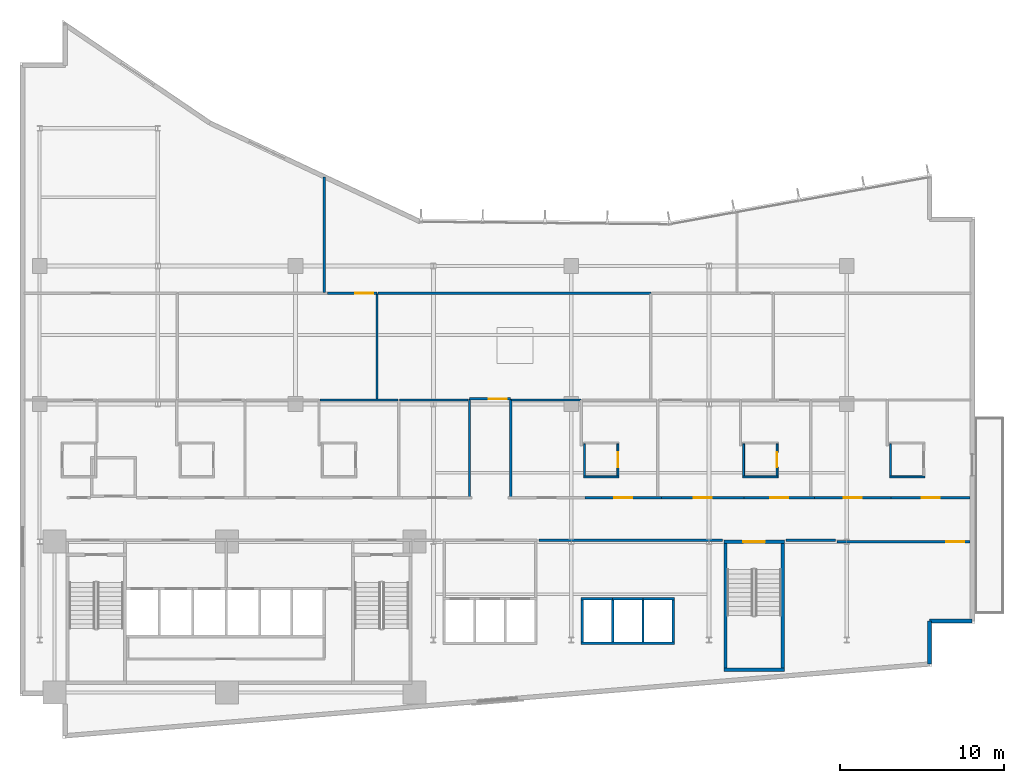
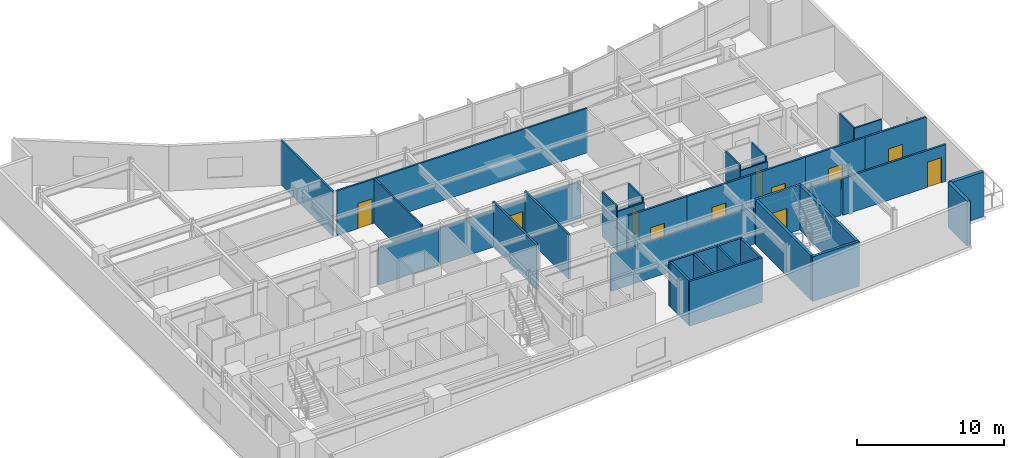
# One storey, part 12 of 19: 40 walls, 11 doors, 11 openings.
"""IFC4 building model written with IfcOpenShell, lengths in metres."""

from ifc_helpers import new_model, si_unit, direction, frame, frame_2d, origin, place, context, subcontext, project, spatial, rectangle, extrude, material, layer, layer_set, type_object, element, fill, save


model = new_model("IFC4")

# Units and contexts
model_context = context("Model", 3, precision=1e-05, world=origin(), true_north=direction((0.0, 1.0)))
body_context = subcontext(model_context, "Body", "Model", "MODEL_VIEW")
ifc_project = project(units=[si_unit("LENGTHUNIT", "METRE"), si_unit("AREAUNIT", "SQUARE_METRE"), si_unit("VOLUMEUNIT", "CUBIC_METRE"), si_unit("PLANEANGLEUNIT", "RADIAN"), si_unit("MASSUNIT", "GRAM", prefix="KILO")], contexts=[model_context])

# Site, building, storey
site_placement = place(None, origin())
site = spatial("IfcSite", under=ifc_project, at=site_placement, CompositionType="ELEMENT")
building_placement = place(site_placement, origin())
building = spatial("IfcBuilding", under=site, at=building_placement, Name="Varnakote Quay Hospital", CompositionType="ELEMENT")
storey_placement = place(building_placement, frame((0.0, 0.0, 89.64990234375)))
storey = spatial("IfcBuildingStorey", under=building, at=storey_placement, Name="L22", CompositionType="ELEMENT", Elevation=89.64990234375)

# Walls
ifc_material_1 = material(Name="Fire-rated acoustic gypsum stud wall", Category="gypsum")
ifc_layer_1 = layer(ifc_material_1, 0.159912109375)
ifc_layer_set_1 = layer_set([ifc_layer_1], Name="Fire-rated acoustic gypsum stud wall")
wall_type_1 = type_object("IfcWallType", Name="WL-COMP-160", PredefinedType="PARTITIONING", material=ifc_layer_set_1)
wall_1_placement = place(storey_placement, frame((31.6298828125, 12.080078125, 0.0), z_axis=(0.0, 0.0, 1.0), x_axis=(1.0, 0.0, 0.0)))
element("IfcWall", 1, at=wall_1_placement, inside=storey, type_object=wall_type_1, Name="L22 Corridor South Gap Wall", PredefinedType="PARTITIONING", context=body_context, shape_type="SweptSolid", body=[
    extrude(rectangle(XDim=11.180908203125, YDim=0.159912109375, at=frame_2d((5.59033203125, 0.0))), origin(), (0.0, 0.0, 1.0), 3.072998046875),
])
wall_2_placement = place(storey_placement, frame((46.689208984375, 12.080078125, 0.0), z_axis=(0.0, 0.0, 1.0), x_axis=(1.0, 0.0, 0.0)))
element("IfcWall", 2, at=wall_2_placement, inside=storey, type_object=wall_type_1, Name="L22 Corridor South Gap Wall", PredefinedType="PARTITIONING", context=body_context, shape_type="SweptSolid", body=[
    extrude(rectangle(XDim=3.0107421875, YDim=0.159912109375, at=frame_2d((1.50537109375, 0.0))), origin(), (0.0, 0.0, 1.0), 3.072998046875),
])
ifc_material_2 = material(Name="Moisture-resistant bathroom partition", Category="gypsum")
ifc_layer_2 = layer(ifc_material_2, 0.114990234375)
ifc_layer_set_2 = layer_set([ifc_layer_2], Name="Moisture-resistant bathroom partition")
wall_type_2 = type_object("IfcWallType", Name="WL-ENS-115", PredefinedType="PARTITIONING", material=ifc_layer_set_2)
wall_3_placement = place(storey_placement, frame((34.35498046875, 15.952392578125, 0.0), z_axis=(0.0, 0.0, 1.0), x_axis=(1.0, 0.0, 0.0)))
element("IfcWall", 3, at=wall_3_placement, inside=storey, type_object=wall_type_2, Name="L22 Inpatient En-Suite Bathroom 04 S Wall", PredefinedType="PARTITIONING", context=body_context, shape_type="SweptSolid", body=[
    extrude(rectangle(XDim=2.14990234375, YDim=0.114990234375, at=frame_2d((1.074951171875, 0.0))), origin(), (0.0, 0.0, 1.0), 3.3291015625),
])
wall_4_placement = place(storey_placement, frame((34.41259765625, 16.010009765625, 0.0), z_axis=(0.0, 0.0, 1.0), x_axis=(0.0, 1.0, 0.0)))
element("IfcWall", 4, at=wall_4_placement, inside=storey, type_object=wall_type_2, Name="L22 Inpatient En-Suite Bathroom 04 W Wall", PredefinedType="PARTITIONING", context=body_context, shape_type="SweptSolid", body=[
    extrude(rectangle(XDim=1.949951171875, YDim=0.114990234375, at=frame_2d((0.97509765625, 0.0))), origin(), (0.0, 0.0, 1.0), 3.710205078125),
])

# Wall, opening, door
wall_5_placement = place(storey_placement, frame((36.447509765625, 16.010009765625, 0.0), z_axis=(0.0, 0.0, 1.0), x_axis=(0.0, 1.0, 0.0)))
wall_5 = element("IfcWall", 5, at=wall_5_placement, inside=storey, type_object=wall_type_2, Name="L22 Inpatient En-Suite Bathroom 04 E Wall", PredefinedType="PARTITIONING", context=body_context, shape_type="SweptSolid", body=[
    extrude(rectangle(XDim=1.949951171875, YDim=0.114990234375, at=frame_2d((0.97509765625, 0.0))), origin(), (0.0, 0.0, 1.0), 3.710205078125),
])
opening_1_placement = place(wall_5_placement, frame((0.514892578125, 0.0, 0.0)))
opening_1 = element("IfcOpeningElement", 6, at=opening_1_placement, cuts=wall_5, Name="Opening D-L22-ENS04", PredefinedType="OPENING", context=body_context, shape_type="SweptSolid", body=[
    extrude(rectangle(XDim=0.919921875, YDim=2.10009765625, at=frame_2d((0.4599609375, 1.050048828125))), frame((0.0, 0.0673828125, 0.0), z_axis=(0.0, -1.0, 0.0), x_axis=(1.0, 0.0, 0.0)), (0.0, 0.0, 1.0), 0.135009765625),
])
ifc_material_3 = material(Name="Moisture-sealed en-suite bathroom door")
door_type_1 = type_object("IfcDoorType", Name="DR-ENS-920x2100", OperationType="NOTDEFINED", PredefinedType="DOOR", material=ifc_material_3)
door_1_placement = place(opening_1_placement, origin())
door_1 = element("IfcDoor", 7, at=door_1_placement, inside=storey, type_object=door_type_1, Name="L22 Inpatient En-Suite Bathroom 04 Door", OperationType="SINGLE_SWING_RIGHT", OverallHeight=2.10009765625, OverallWidth=0.919921875, PredefinedType="DOOR", context=body_context, shape_type="SweptSolid", body=[
    extrude(rectangle(XDim=0.919921875, YDim=2.10009765625, at=frame_2d((0.4599609375, 1.050048828125))), frame((0.0, 0.02490234375, 0.0), z_axis=(0.0, -1.0, 0.0), x_axis=(1.0, 0.0, 0.0)), (0.0, 0.0, 1.0), 0.050048828125),
])
fill(opening_1, door_1)

# Walls
wall_6_placement = place(storey_placement, frame((44.054931640625, 15.952392578125, 0.0), z_axis=(0.0, 0.0, 1.0), x_axis=(1.0, 0.0, 0.0)))
element("IfcWall", 8, at=wall_6_placement, inside=storey, type_object=wall_type_2, Name="L22 Inpatient En-Suite Bathroom 05 S Wall", PredefinedType="PARTITIONING", context=body_context, shape_type="SweptSolid", body=[
    extrude(rectangle(XDim=2.150146484375, YDim=0.114990234375, at=frame_2d((1.0751953125, 0.0))), origin(), (0.0, 0.0, 1.0), 3.3291015625),
])
wall_7_placement = place(storey_placement, frame((44.112548828125, 16.010009765625, 0.0), z_axis=(0.0, 0.0, 1.0), x_axis=(0.0, 1.0, 0.0)))
element("IfcWall", 9, at=wall_7_placement, inside=storey, type_object=wall_type_2, Name="L22 Inpatient En-Suite Bathroom 05 W Wall", PredefinedType="PARTITIONING", context=body_context, shape_type="SweptSolid", body=[
    extrude(rectangle(XDim=1.949951171875, YDim=0.114990234375, at=frame_2d((0.97509765625, 0.0))), origin(), (0.0, 0.0, 1.0), 3.710205078125),
])

# Wall, opening, door
wall_8_placement = place(storey_placement, frame((46.1474609375, 16.010009765625, 0.0), z_axis=(0.0, 0.0, 1.0), x_axis=(0.0, 1.0, 0.0)))
wall_8 = element("IfcWall", 10, at=wall_8_placement, inside=storey, type_object=wall_type_2, Name="L22 Inpatient En-Suite Bathroom 05 E Wall", PredefinedType="PARTITIONING", context=body_context, shape_type="SweptSolid", body=[
    extrude(rectangle(XDim=1.949951171875, YDim=0.114990234375, at=frame_2d((0.97509765625, 0.0))), origin(), (0.0, 0.0, 1.0), 3.710205078125),
])
opening_2_placement = place(wall_8_placement, frame((0.514892578125, 0.0, 0.0)))
opening_2 = element("IfcOpeningElement", 11, at=opening_2_placement, cuts=wall_8, Name="Opening D-L22-ENS05", PredefinedType="OPENING", context=body_context, shape_type="SweptSolid", body=[
    extrude(rectangle(XDim=0.919921875, YDim=2.10009765625, at=frame_2d((0.4599609375, 1.050048828125))), frame((0.0, 0.0673828125, 0.0), z_axis=(0.0, -1.0, 0.0), x_axis=(1.0, 0.0, 0.0)), (0.0, 0.0, 1.0), 0.135009765625),
])
door_2_placement = place(opening_2_placement, origin())
door_2 = element("IfcDoor", 12, at=door_2_placement, inside=storey, type_object=door_type_1, Name="L22 Inpatient En-Suite Bathroom 05 Door", OperationType="SINGLE_SWING_LEFT", OverallHeight=2.10009765625, OverallWidth=0.919921875, PredefinedType="DOOR", context=body_context, shape_type="SweptSolid", body=[
    extrude(rectangle(XDim=0.919921875, YDim=2.10009765625, at=frame_2d((0.4599609375, 1.050048828125))), frame((0.0, 0.02490234375, 0.0), z_axis=(0.0, -1.0, 0.0), x_axis=(1.0, 0.0, 0.0)), (0.0, 0.0, 1.0), 0.050048828125),
])
fill(opening_2, door_2)

# Walls
wall_9_placement = place(storey_placement, frame((53.0048828125, 15.952392578125, 0.0), z_axis=(0.0, 0.0, 1.0), x_axis=(1.0, 0.0, 0.0)))
element("IfcWall", 13, at=wall_9_placement, inside=storey, type_object=wall_type_2, Name="L22 Inpatient En-Suite Bathroom 06 S Wall", PredefinedType="PARTITIONING", context=body_context, shape_type="SweptSolid", body=[
    extrude(rectangle(XDim=2.150146484375, YDim=0.114990234375, at=frame_2d((1.0751953125, 0.0))), origin(), (0.0, 0.0, 1.0), 3.710205078125),
])
wall_10_placement = place(storey_placement, frame((53.0625, 16.010009765625, 0.0), z_axis=(0.0, 0.0, 1.0), x_axis=(0.0, 1.0, 0.0)))
element("IfcWall", 14, at=wall_10_placement, inside=storey, type_object=wall_type_2, Name="L22 Inpatient En-Suite Bathroom 06 W Wall", PredefinedType="PARTITIONING", context=body_context, shape_type="SweptSolid", body=[
    extrude(rectangle(XDim=1.949951171875, YDim=0.114990234375, at=frame_2d((0.97509765625, 0.0))), origin(), (0.0, 0.0, 1.0), 3.710205078125),
])
ifc_material_4 = material(Name="Precast concrete N50 (f'c 50 MPa)", Category="concrete")
ifc_layer_3 = layer(ifc_material_4, 0.260009765625)
ifc_layer_set_3 = layer_set([ifc_layer_3], Name="Precast concrete N50 (f'c 50 MPa)")
wall_type_3 = type_object("IfcWallType", Name="WL-EXT-BRICK-260", PredefinedType="STANDARD", material=ifc_layer_set_3)
wall_11_placement = place(storey_placement, frame((55.43994140625, 4.54736328125, 0.0), z_axis=(0.0, 0.0, 1.0), x_axis=(0.0, 1.0, 0.0)))
element("IfcWall", 15, at=wall_11_placement, inside=storey, type_object=wall_type_3, Name="L22 Brick-Faced Precast Exterior Wall", PredefinedType="STANDARD", context=body_context, shape_type="SweptSolid", body=[
    extrude(rectangle(XDim=2.612548828125, YDim=0.260009765625, at=frame_2d((1.30615234375, 0.0))), origin(), (0.0, 0.0, 1.0), 3.710205078125),
])
wall_12_placement = place(storey_placement, frame((55.43994140625, 7.159912109375, 0.0), z_axis=(0.0, 0.0, 1.0), x_axis=(1.0, 0.0, 0.0)))
element("IfcWall", 16, at=wall_12_placement, inside=storey, type_object=wall_type_3, Name="L22 Brick-Faced Precast Exterior Wall", PredefinedType="STANDARD", context=body_context, shape_type="SweptSolid", body=[
    extrude(rectangle(XDim=2.60009765625, YDim=0.260009765625, at=frame_2d((1.300048828125, 0.0))), origin(), (0.0, 0.0, 1.0), 3.710205078125),
])
ifc_material_5 = material(Name="Concrete N50 (f'c 50 MPa)", Category="concrete")
ifc_layer_4 = layer(ifc_material_5, 0.14990234375)
ifc_layer_set_4 = layer_set([ifc_layer_4], Name="Concrete N50 (f'c 50 MPa)")
wall_type_4 = type_object("IfcWallType", Name="WL-SHAFT-N50-150", PredefinedType="SHEAR", material=ifc_layer_set_4)
for number, where, z_axis, x_axis, name in (
    (17, (36.125, 5.89990234375, 0.0), (0.0, 0.0, 1.0), (0.0, 1.0, 0.0), "L22 LF-PM1 Hoistway Divider Wall"),
    (18, (37.97509765625, 5.89990234375, 0.0), (0.0, 0.0, 1.0), (0.0, 1.0, 0.0), "L22 LF-PM2 Hoistway Divider Wall"),
):
    element("IfcWall", number, at=place(storey_placement, frame(where, z_axis=z_axis, x_axis=x_axis)), inside=storey, type_object=wall_type_4, Name=name, PredefinedType="SHEAR", context=body_context, shape_type="SweptSolid", body=[
        extrude(rectangle(XDim=2.550048828125, YDim=0.14990234375, at=frame_2d((1.27490234375, 0.0))), origin(), (0.0, 0.0, 1.0), 3.710205078125),
    ])
ifc_material_6 = material(Name="Concrete N50 (f'c 50 MPa)", Category="concrete")
ifc_layer_5 = layer(ifc_material_6, 0.159912109375)
ifc_layer_set_5 = layer_set([ifc_layer_5], Name="Concrete N50 (f'c 50 MPa)")
wall_type_5 = type_object("IfcWallType", Name="WL-SHAFT-N50-160", PredefinedType="SHEAR", material=ifc_layer_set_5)
wall_13_placement = place(storey_placement, frame((34.18994140625, 5.820068359375, 0.0), z_axis=(0.0, 0.0, 1.0), x_axis=(1.0, 0.0, 0.0)))
element("IfcWall", 19, at=wall_13_placement, inside=storey, type_object=wall_type_5, Name="L22 MID Lift Bank Back Shear Wall", PredefinedType="SHEAR", context=body_context, shape_type="SweptSolid", body=[
    extrude(rectangle(XDim=5.719970703125, YDim=0.159912109375, at=frame_2d((2.85986328125, 0.0))), origin(), (0.0, 0.0, 1.0), 3.710205078125),
])
for number, where, z_axis, x_axis, name in (
    (20, (34.27001953125, 5.89990234375, 0.0), (0.0, 0.0, 1.0), (0.0, 1.0, 0.0), "L22 MID Lift Bank West Shear Wall"),
    (21, (39.830078125, 5.89990234375, 0.0), (0.0, 0.0, 1.0), (0.0, 1.0, 0.0), "L22 MID Lift Bank East Shear Wall"),
):
    element("IfcWall", number, at=place(storey_placement, frame(where, z_axis=z_axis, x_axis=x_axis)), inside=storey, type_object=wall_type_5, Name=name, PredefinedType="SHEAR", context=body_context, shape_type="SweptSolid", body=[
        extrude(rectangle(XDim=2.550048828125, YDim=0.159912109375, at=frame_2d((1.27490234375, 0.0))), origin(), (0.0, 0.0, 1.0), 3.710205078125),
    ])
wall_14_placement = place(storey_placement, frame((34.18994140625, 8.530029296875, 0.0), z_axis=(0.0, 0.0, 1.0), x_axis=(1.0, 0.0, 0.0)))
element("IfcWall", 22, at=wall_14_placement, inside=storey, type_object=wall_type_5, Name="L22 LF-PM1 Hoistway Front Wall", PredefinedType="SHEAR", context=body_context, shape_type="SweptSolid", body=[
    extrude(rectangle(XDim=1.93505859375, YDim=0.159912109375, at=frame_2d((0.967529296875, 0.0))), origin(), (0.0, 0.0, 1.0), 3.710205078125),
])
wall_15_placement = place(storey_placement, frame((36.125, 8.530029296875, 0.0), z_axis=(0.0, 0.0, 1.0), x_axis=(1.0, 0.0, 0.0)))
element("IfcWall", 23, at=wall_15_placement, inside=storey, type_object=wall_type_5, Name="L22 LF-PM2 Hoistway Front Wall", PredefinedType="SHEAR", context=body_context, shape_type="SweptSolid", body=[
    extrude(rectangle(XDim=1.85009765625, YDim=0.159912109375, at=frame_2d((0.925048828125, 0.0))), origin(), (0.0, 0.0, 1.0), 3.710205078125),
])
wall_16_placement = place(storey_placement, frame((37.97509765625, 8.530029296875, 0.0), z_axis=(0.0, 0.0, 1.0), x_axis=(1.0, 0.0, 0.0)))
element("IfcWall", 24, at=wall_16_placement, inside=storey, type_object=wall_type_5, Name="L22 LF-PM3 Hoistway Front Wall", PredefinedType="SHEAR", context=body_context, shape_type="SweptSolid", body=[
    extrude(rectangle(XDim=1.934814453125, YDim=0.159912109375, at=frame_2d((0.96728515625, 0.0))), origin(), (0.0, 0.0, 1.0), 3.710205078125),
])
ifc_material_7 = material(Name="Concrete N50 (f'c 50 MPa)", Category="concrete")
ifc_layer_6 = layer(ifc_material_7, 0.199951171875)
ifc_layer_set_6 = layer_set([ifc_layer_6], Name="Concrete N50 (f'c 50 MPa)")
wall_type_6 = type_object("IfcWallType", Name="WL-SHAFT-N50-200", PredefinedType="SHEAR", material=ifc_layer_set_6)
wall_17_placement = place(storey_placement, frame((42.89990234375, 4.199951171875, 0.0), z_axis=(0.0, 0.0, 1.0), x_axis=(1.0, 0.0, 0.0)))
element("IfcWall", 25, at=wall_17_placement, inside=storey, type_object=wall_type_6, Name="L22 Stair ST3 South Shaft Wall", PredefinedType="SHEAR", context=body_context, shape_type="SweptSolid", body=[
    extrude(rectangle(XDim=3.7001953125, YDim=0.199951171875, at=frame_2d((1.85009765625, 0.0))), origin(), (0.0, 0.0, 1.0), 3.710205078125),
])
for number, where, z_axis, x_axis, name in (
    (26, (43.0, 4.300048828125, 0.0), (0.0, 0.0, 1.0), (0.0, 1.0, 0.0), "L22 Stair ST3 West Shaft Wall"),
    (27, (46.5, 4.300048828125, 0.0), (0.0, 0.0, 1.0), (0.0, 1.0, 0.0), "L22 Stair ST3 East Shaft Wall"),
):
    element("IfcWall", number, at=place(storey_placement, frame(where, z_axis=z_axis, x_axis=x_axis)), inside=storey, type_object=wall_type_6, Name=name, PredefinedType="SHEAR", context=body_context, shape_type="SweptSolid", body=[
        extrude(rectangle(XDim=7.599853515625, YDim=0.199951171875, at=frame_2d((3.7998046875, 0.0))), origin(), (0.0, 0.0, 1.0), 3.710205078125),
    ])

# Wall, opening, door
wall_18_placement = place(storey_placement, frame((42.89990234375, 12.0, 0.0), z_axis=(0.0, 0.0, 1.0), x_axis=(1.0, 0.0, 0.0)))
wall_18 = element("IfcWall", 28, at=wall_18_placement, inside=storey, type_object=wall_type_6, Name="L22 Stair ST3 Exit Wall", PredefinedType="SHEAR", context=body_context, shape_type="SweptSolid", body=[
    extrude(rectangle(XDim=3.7001953125, YDim=0.199951171875, at=frame_2d((1.85009765625, 0.0))), origin(), (0.0, 0.0, 1.0), 3.710205078125),
])
opening_3_placement = place(wall_18_placement, frame((1.199951171875, 0.0, 0.0)))
opening_3 = element("IfcOpeningElement", 29, at=opening_3_placement, cuts=wall_18, Name="Opening D-ST3-L22", PredefinedType="OPENING", context=body_context, shape_type="SweptSolid", body=[
    extrude(rectangle(XDim=1.300048828125, YDim=2.14990234375, at=frame_2d((0.64990234375, 1.074951171875))), frame((0.0, 0.10986328125, 0.0), z_axis=(0.0, -1.0, 0.0), x_axis=(1.0, 0.0, 0.0)), (0.0, 0.0, 1.0), 0.219970703125),
])
ifc_material_8 = material(Name="Fire-rated ceramic-glazed timber exit door", Category="wood")
door_type_2 = type_object("IfcDoorType", Name="DR-STAIR-FD60S-1300x2150", OperationType="NOTDEFINED", PredefinedType="DOOR", material=ifc_material_8)
door_3_placement = place(opening_3_placement, origin())
door_3 = element("IfcDoor", 30, at=door_3_placement, inside=storey, type_object=door_type_2, Name="L22 Stair ST3 Fire Exit Door", OperationType="SINGLE_SWING_LEFT", OverallHeight=2.14990234375, OverallWidth=1.300048828125, PredefinedType="DOOR", context=body_context, shape_type="SweptSolid", body=[
    extrude(rectangle(XDim=1.300048828125, YDim=2.14990234375, at=frame_2d((0.64990234375, 1.074951171875))), frame((0.0, 0.02490234375, 0.0), z_axis=(0.0, -1.0, 0.0), x_axis=(1.0, 0.0, 0.0)), (0.0, 0.0, 1.0), 0.050048828125),
])
fill(opening_3, door_3)

# Walls
ifc_material_9 = material(Name="Smoke-proof clinical partition", Category="gypsum")
ifc_layer_7 = layer(ifc_material_9, 0.135009765625)
ifc_layer_set_7 = layer_set([ifc_layer_7], Name="Smoke-proof clinical partition")
wall_type_7 = type_object("IfcWallType", Name="WL-SMOKE-135", PredefinedType="PARTITIONING", material=ifc_layer_set_7)
wall_19_placement = place(storey_placement, frame((23.032470703125, 20.639892578125, 0.0), z_axis=(0.0, 0.0, 1.0), x_axis=(-1.0, 0.0, 0.0)))
element("IfcWall", 31, at=wall_19_placement, inside=storey, type_object=wall_type_7, Name="L22 Clinical Interior Partition", PredefinedType="PARTITIONING", context=body_context, shape_type="SweptSolid", body=[
    extrude(rectangle(XDim=4.7548828125, YDim=0.135009765625, at=frame_2d((2.37744140625, 0.0))), origin(), (0.0, 0.0, 1.0), 3.072998046875),
])
wall_20_placement = place(storey_placement, frame((27.320068359375, 20.639892578125, 0.0), z_axis=(0.0, 0.0, 1.0), x_axis=(-1.0, 0.0, 0.0)))
element("IfcWall", 32, at=wall_20_placement, inside=storey, type_object=wall_type_7, Name="L22 Clinical Interior Partition", PredefinedType="PARTITIONING", context=body_context, shape_type="SweptSolid", body=[
    extrude(rectangle(XDim=4.172607421875, YDim=0.135009765625, at=frame_2d((2.08642578125, 0.0))), origin(), (0.0, 0.0, 1.0), 3.072998046875),
])
wall_21_placement = place(storey_placement, frame((34.2099609375, 20.639892578125, 0.0), z_axis=(0.0, 0.0, 1.0), x_axis=(-1.0, 0.0, 0.0)))
element("IfcWall", 33, at=wall_21_placement, inside=storey, type_object=wall_type_7, Name="L22 Clinical Interior Partition", PredefinedType="PARTITIONING", context=body_context, shape_type="SweptSolid", body=[
    extrude(rectangle(XDim=4.244873046875, YDim=0.135009765625, at=frame_2d((2.12255859375, 0.0))), origin(), (0.0, 0.0, 1.0), 3.072998046875),
])
wall_22_placement = place(storey_placement, frame((21.760009765625, 20.697509765625, 0.0), z_axis=(0.0, 0.0, 1.0), x_axis=(0.0, 1.0, 0.0)))
element("IfcWall", 34, at=wall_22_placement, inside=storey, type_object=wall_type_7, Name="L22 Clinical Interior Partition", PredefinedType="PARTITIONING", context=body_context, shape_type="SweptSolid", body=[
    extrude(rectangle(XDim=6.4423828125, YDim=0.135009765625, at=frame_2d((3.22119140625, 0.0))), origin(), (0.0, 0.0, 1.0), 3.710205078125),
])

# Wall, opening, door
wall_23_placement = place(storey_placement, frame((21.760009765625, 27.139892578125, 0.0), z_axis=(0.0, 0.0, 1.0), x_axis=(-1.0, 0.0, 0.0)))
wall_23 = element("IfcWall", 35, at=wall_23_placement, inside=storey, type_object=wall_type_7, Name="L22 Clinical Interior Partition", PredefinedType="PARTITIONING", context=body_context, shape_type="SweptSolid", body=[
    extrude(rectangle(XDim=3.010498046875, YDim=0.135009765625, at=frame_2d((1.50537109375, 0.0))), origin(), (0.0, 0.0, 1.0), 3.710205078125),
])
opening_4_placement = place(wall_23_placement, frame((0.23779296875, 0.0, 0.0)))
opening_4 = element("IfcOpeningElement", 36, at=opening_4_placement, cuts=wall_23, Name="Opening D-L22-MD11", PredefinedType="OPENING", context=body_context, shape_type="SweptSolid", body=[
    extrude(rectangle(XDim=1.10009765625, YDim=2.10009765625, at=frame_2d((0.550048828125, 1.050048828125))), frame((0.0, 0.077392578125, 0.0), z_axis=(0.0, -1.0, 0.0), x_axis=(1.0, 0.0, 0.0)), (0.0, 0.0, 1.0), 0.155029296875),
])
ifc_material_10 = material(Name="Acoustic timber clinical consult door", Category="wood")
door_type_3 = type_object("IfcDoorType", Name="DR-CLIN-FD30S-1100x2100", OperationType="NOTDEFINED", PredefinedType="DOOR", material=ifc_material_10)
door_4_placement = place(opening_4_placement, origin())
door_4 = element("IfcDoor", 37, at=door_4_placement, inside=storey, type_object=door_type_3, Name="L22 Critical Care Clinical Consultation Suite Door", OperationType="SINGLE_SWING_RIGHT", OverallHeight=2.10009765625, OverallWidth=1.10009765625, PredefinedType="DOOR", context=body_context, shape_type="SweptSolid", body=[
    extrude(rectangle(XDim=1.10009765625, YDim=2.10009765625, at=frame_2d((0.550048828125, 1.050048828125))), frame((0.0, 0.02490234375, 0.0), z_axis=(0.0, -1.0, 0.0), x_axis=(1.0, 0.0, 0.0)), (0.0, 0.0, 1.0), 0.050048828125),
])
fill(opening_4, door_4)

# Walls
wall_24_placement = place(storey_placement, frame((38.449951171875, 27.139892578125, 0.0), z_axis=(0.0, 0.0, 1.0), x_axis=(-1.0, 0.0, 0.0)))
element("IfcWall", 38, at=wall_24_placement, inside=storey, type_object=wall_type_7, Name="L22 Clinical Interior Partition", PredefinedType="PARTITIONING", context=body_context, shape_type="SweptSolid", body=[
    extrude(rectangle(XDim=16.632568359375, YDim=0.135009765625, at=frame_2d((8.31640625, 0.0))), origin(), (0.0, 0.0, 1.0), 3.710205078125),
])
wall_25_placement = place(storey_placement, frame((18.5400390625, 27.197509765625, 0.0), z_axis=(0.0, 0.0, 1.0), x_axis=(0.0, 1.0, 0.0)))
element("IfcWall", 39, at=wall_25_placement, inside=storey, type_object=wall_type_7, Name="L22 Clinical Interior Partition", PredefinedType="PARTITIONING", context=body_context, shape_type="SweptSolid", body=[
    extrude(rectangle(XDim=7.04638671875, YDim=0.135009765625, at=frame_2d((3.523193359375, 0.0))), origin(), (0.0, 0.0, 1.0), 3.710205078125),
])

# Wall, opening, door
ifc_material_11 = material(Name="Fire-rated clinical gypsum partition", Category="gypsum")
ifc_layer_8 = layer(ifc_material_11, 0.14990234375)
ifc_layer_set_8 = layer_set([ifc_layer_8], Name="Fire-rated clinical gypsum partition")
wall_type_8 = type_object("IfcWallType", Name="WL-WARD-150", PredefinedType="PARTITIONING", material=ifc_layer_set_8)
wall_26_placement = place(storey_placement, frame((57.919921875, 12.0, 0.0), z_axis=(0.0, 0.0, 1.0), x_axis=(-1.0, 0.0, 0.0)))
wall_26 = element("IfcWall", 40, at=wall_26_placement, inside=storey, type_object=wall_type_8, Name="L22 Clinical Interior Partition", PredefinedType="PARTITIONING", context=body_context, shape_type="SweptSolid", body=[
    extrude(rectangle(XDim=8.119873046875, YDim=0.14990234375, at=frame_2d((4.06005859375, 0.0))), origin(), (0.0, 0.0, 1.0), 3.072998046875),
])
opening_5_placement = place(wall_26_placement, frame((0.365478515625, 0.0, 0.0)))
opening_5 = element("IfcOpeningElement", 41, at=opening_5_placement, cuts=wall_26, Name="Opening D-L22-SE1", PredefinedType="OPENING", context=body_context, shape_type="SweptSolid", body=[
    extrude(rectangle(XDim=1.10009765625, YDim=2.10009765625, at=frame_2d((0.550048828125, 1.050048828125))), frame((0.0, 0.0849609375, 0.0), z_axis=(0.0, -1.0, 0.0), x_axis=(1.0, 0.0, 0.0)), (0.0, 0.0, 1.0), 0.169921875),
])
door_5_placement = place(opening_5_placement, origin())
door_5 = element("IfcDoor", 42, at=door_5_placement, inside=storey, type_object=door_type_3, Name="L22 Clinical Biomedical Engineering Office Door", OperationType="SINGLE_SWING_LEFT", OverallHeight=2.10009765625, OverallWidth=1.10009765625, PredefinedType="DOOR", context=body_context, shape_type="SweptSolid", body=[
    extrude(rectangle(XDim=1.10009765625, YDim=2.10009765625, at=frame_2d((0.550048828125, 1.050048828125))), frame((0.0, 0.02490234375, 0.0), z_axis=(0.0, -1.0, 0.0), x_axis=(1.0, 0.0, 0.0)), (0.0, 0.0, 1.0), 0.050048828125),
])
fill(opening_5, door_5)

wall_27_placement = place(storey_placement, frame((39.095947265625, 14.679931640625, 0.0), z_axis=(0.0, 0.0, 1.0), x_axis=(-1.0, 0.0, 0.0)))
wall_27 = element("IfcWall", 43, at=wall_27_placement, inside=storey, type_object=wall_type_8, Name="L22 Clinical Interior Partition", PredefinedType="PARTITIONING", context=body_context, shape_type="SweptSolid", body=[
    extrude(rectangle(XDim=4.657958984375, YDim=0.14990234375, at=frame_2d((2.3291015625, 0.0))), origin(), (0.0, 0.0, 1.0), 3.710205078125),
])
opening_6_placement = place(wall_27_placement, frame((1.779052734375, 0.0, 0.0)))
opening_6 = element("IfcOpeningElement", 44, at=opening_6_placement, cuts=wall_27, Name="Opening D-L22-BR04", PredefinedType="OPENING", context=body_context, shape_type="SweptSolid", body=[
    extrude(rectangle(XDim=1.10009765625, YDim=2.10009765625, at=frame_2d((0.550048828125, 1.050048828125))), frame((0.0, 0.0849609375, 0.0), z_axis=(0.0, -1.0, 0.0), x_axis=(1.0, 0.0, 0.0)), (0.0, 0.0, 1.0), 0.169921875),
])
door_6_placement = place(opening_6_placement, origin())
door_6 = element("IfcDoor", 45, at=door_6_placement, inside=storey, type_object=door_type_3, Name="L22 Inpatient Clinical Treatment Room 04 Door", OperationType="SINGLE_SWING_LEFT", OverallHeight=2.10009765625, OverallWidth=1.10009765625, PredefinedType="DOOR", context=body_context, shape_type="SweptSolid", body=[
    extrude(rectangle(XDim=1.10009765625, YDim=2.10009765625, at=frame_2d((0.550048828125, 1.050048828125))), frame((0.0, 0.02490234375, 0.0), z_axis=(0.0, -1.0, 0.0), x_axis=(1.0, 0.0, 0.0)), (0.0, 0.0, 1.0), 0.050048828125),
])
fill(opening_6, door_6)

wall_28_placement = place(storey_placement, frame((44.135986328125, 14.679931640625, 0.0), z_axis=(0.0, 0.0, 1.0), x_axis=(-1.0, 0.0, 0.0)))
wall_28 = element("IfcWall", 46, at=wall_28_placement, inside=storey, type_object=wall_type_8, Name="L22 Clinical Interior Partition", PredefinedType="PARTITIONING", context=body_context, shape_type="SweptSolid", body=[
    extrude(rectangle(XDim=5.0380859375, YDim=0.14990234375, at=frame_2d((2.51904296875, 0.0))), origin(), (0.0, 0.0, 1.0), 3.710205078125),
])
opening_7_placement = place(wall_28_placement, frame((1.968994140625, 0.0, 0.0)))
opening_7 = element("IfcOpeningElement", 47, at=opening_7_placement, cuts=wall_28, Name="Opening D-L22-MD05", PredefinedType="OPENING", context=body_context, shape_type="SweptSolid", body=[
    extrude(rectangle(XDim=1.10009765625, YDim=2.10009765625, at=frame_2d((0.550048828125, 1.050048828125))), frame((0.0, 0.0849609375, 0.0), z_axis=(0.0, -1.0, 0.0), x_axis=(1.0, 0.0, 0.0)), (0.0, 0.0, 1.0), 0.169921875),
])
door_7_placement = place(opening_7_placement, origin())
door_7 = element("IfcDoor", 48, at=door_7_placement, inside=storey, type_object=door_type_3, Name="L22 High-Dependency Treatment Suite Door", OperationType="SINGLE_SWING_RIGHT", OverallHeight=2.10009765625, OverallWidth=1.10009765625, PredefinedType="DOOR", context=body_context, shape_type="SweptSolid", body=[
    extrude(rectangle(XDim=1.10009765625, YDim=2.10009765625, at=frame_2d((0.550048828125, 1.050048828125))), frame((0.0, 0.02490234375, 0.0), z_axis=(0.0, -1.0, 0.0), x_axis=(1.0, 0.0, 0.0)), (0.0, 0.0, 1.0), 0.050048828125),
])
fill(opening_7, door_7)

wall_29_placement = place(storey_placement, frame((48.426025390625, 14.679931640625, 0.0), z_axis=(0.0, 0.0, 1.0), x_axis=(-1.0, 0.0, 0.0)))
wall_29 = element("IfcWall", 49, at=wall_29_placement, inside=storey, type_object=wall_type_8, Name="L22 Clinical Interior Partition", PredefinedType="PARTITIONING", context=body_context, shape_type="SweptSolid", body=[
    extrude(rectangle(XDim=4.2880859375, YDim=0.14990234375, at=frame_2d((2.14404296875, 0.0))), origin(), (0.0, 0.0, 1.0), 3.710205078125),
])
opening_8_placement = place(wall_29_placement, frame((1.593994140625, 0.0, 0.0)))
opening_8 = element("IfcOpeningElement", 50, at=opening_8_placement, cuts=wall_29, Name="Opening D-L22-BR05", PredefinedType="OPENING", context=body_context, shape_type="SweptSolid", body=[
    extrude(rectangle(XDim=1.10009765625, YDim=2.10009765625, at=frame_2d((0.550048828125, 1.050048828125))), frame((0.0, 0.0849609375, 0.0), z_axis=(0.0, -1.0, 0.0), x_axis=(1.0, 0.0, 0.0)), (0.0, 0.0, 1.0), 0.169921875),
])
door_8_placement = place(opening_8_placement, origin())
door_8 = element("IfcDoor", 51, at=door_8_placement, inside=storey, type_object=door_type_3, Name="L22 Inpatient Clinical Treatment Room 05 Door", OperationType="SINGLE_SWING_LEFT", OverallHeight=2.10009765625, OverallWidth=1.10009765625, PredefinedType="DOOR", context=body_context, shape_type="SweptSolid", body=[
    extrude(rectangle(XDim=1.10009765625, YDim=2.10009765625, at=frame_2d((0.550048828125, 1.050048828125))), frame((0.0, 0.02490234375, 0.0), z_axis=(0.0, -1.0, 0.0), x_axis=(1.0, 0.0, 0.0)), (0.0, 0.0, 1.0), 0.050048828125),
])
fill(opening_8, door_8)

wall_30_placement = place(storey_placement, frame((53.0859375, 14.679931640625, 0.0), z_axis=(0.0, 0.0, 1.0), x_axis=(-1.0, 0.0, 0.0)))
wall_30 = element("IfcWall", 52, at=wall_30_placement, inside=storey, type_object=wall_type_8, Name="L22 Clinical Interior Partition", PredefinedType="PARTITIONING", context=body_context, shape_type="SweptSolid", body=[
    extrude(rectangle(XDim=4.657958984375, YDim=0.14990234375, at=frame_2d((2.3291015625, 0.0))), origin(), (0.0, 0.0, 1.0), 3.710205078125),
])
opening_9_placement = place(wall_30_placement, frame((1.779052734375, 0.0, 0.0)))
opening_9 = element("IfcOpeningElement", 53, at=opening_9_placement, cuts=wall_30, Name="Opening D-L22-MD06", PredefinedType="OPENING", context=body_context, shape_type="SweptSolid", body=[
    extrude(rectangle(XDim=1.10009765625, YDim=2.10009765625, at=frame_2d((0.550048828125, 1.050048828125))), frame((0.0, 0.0849609375, 0.0), z_axis=(0.0, -1.0, 0.0), x_axis=(1.0, 0.0, 0.0)), (0.0, 0.0, 1.0), 0.169921875),
])
door_9_placement = place(opening_9_placement, origin())
door_9 = element("IfcDoor", 54, at=door_9_placement, inside=storey, type_object=door_type_3, Name="L22 Intensivist Medication Pantry Door", OperationType="SINGLE_SWING_RIGHT", OverallHeight=2.10009765625, OverallWidth=1.10009765625, PredefinedType="DOOR", context=body_context, shape_type="SweptSolid", body=[
    extrude(rectangle(XDim=1.10009765625, YDim=2.10009765625, at=frame_2d((0.550048828125, 1.050048828125))), frame((0.0, 0.02490234375, 0.0), z_axis=(0.0, -1.0, 0.0), x_axis=(1.0, 0.0, 0.0)), (0.0, 0.0, 1.0), 0.050048828125),
])
fill(opening_9, door_9)

wall_31_placement = place(storey_placement, frame((57.919921875, 14.679931640625, 0.0), z_axis=(0.0, 0.0, 1.0), x_axis=(-1.0, 0.0, 0.0)))
wall_31 = element("IfcWall", 55, at=wall_31_placement, inside=storey, type_object=wall_type_8, Name="L22 Clinical Interior Partition", PredefinedType="PARTITIONING", context=body_context, shape_type="SweptSolid", body=[
    extrude(rectangle(XDim=4.83203125, YDim=0.14990234375, at=frame_2d((2.416015625, 0.0))), origin(), (0.0, 0.0, 1.0), 3.710205078125),
])
opening_10_placement = place(wall_31_placement, frame((1.865966796875, 0.0, 0.0)))
opening_10 = element("IfcOpeningElement", 56, at=opening_10_placement, cuts=wall_31, Name="Opening D-L22-BR06", PredefinedType="OPENING", context=body_context, shape_type="SweptSolid", body=[
    extrude(rectangle(XDim=1.10009765625, YDim=2.10009765625, at=frame_2d((0.550048828125, 1.050048828125))), frame((0.0, 0.0849609375, 0.0), z_axis=(0.0, -1.0, 0.0), x_axis=(1.0, 0.0, 0.0)), (0.0, 0.0, 1.0), 0.169921875),
])
door_10_placement = place(opening_10_placement, origin())
door_10 = element("IfcDoor", 57, at=door_10_placement, inside=storey, type_object=door_type_3, Name="L22 Inpatient Clinical Treatment Room 06 Door", OperationType="SINGLE_SWING_LEFT", OverallHeight=2.10009765625, OverallWidth=1.10009765625, PredefinedType="DOOR", context=body_context, shape_type="SweptSolid", body=[
    extrude(rectangle(XDim=1.10009765625, YDim=2.10009765625, at=frame_2d((0.550048828125, 1.050048828125))), frame((0.0, 0.02490234375, 0.0), z_axis=(0.0, -1.0, 0.0), x_axis=(1.0, 0.0, 0.0)), (0.0, 0.0, 1.0), 0.050048828125),
])
fill(opening_10, door_10)

# Walls
for number, where, z_axis, x_axis, name in (
    (58, (27.39990234375, 20.699951171875, 0.0), (0.0, 0.0, 1.0), (0.0, -1.0, 0.0), "L22 Clinical Interior Partition"),
    (59, (29.89990234375, 14.699951171875, 0.0), (0.0, 0.0, 1.0), (0.0, 1.0, 0.0), "L22 Clinical Interior Partition"),
):
    element("IfcWall", number, at=place(storey_placement, frame(where, z_axis=z_axis, x_axis=x_axis)), inside=storey, type_object=wall_type_8, Name=name, PredefinedType="PARTITIONING", context=body_context, shape_type="SweptSolid", body=[
        extrude(rectangle(XDim=6.0, YDim=0.14990234375, at=frame_2d((3.0, 0.0))), origin(), (0.0, 0.0, 1.0), 3.710205078125),
    ])

# Wall, opening, door
wall_32_placement = place(storey_placement, frame((29.89990234375, 20.699951171875, 0.0), z_axis=(0.0, 0.0, 1.0), x_axis=(-1.0, 0.0, 0.0)))
wall_32 = element("IfcWall", 60, at=wall_32_placement, inside=storey, type_object=wall_type_8, Name="L22 Clinical Interior Partition", PredefinedType="PARTITIONING", context=body_context, shape_type="SweptSolid", body=[
    extrude(rectangle(XDim=2.5, YDim=0.14990234375, at=frame_2d((1.25, 0.0))), origin(), (0.0, 0.0, 1.0), 3.072998046875),
])
opening_11_placement = place(wall_32_placement, frame((0.22509765625, 0.0, 0.0)))
opening_11 = element("IfcOpeningElement", 61, at=opening_11_placement, cuts=wall_32, Name="Opening D-L22-MD09", PredefinedType="OPENING", context=body_context, shape_type="SweptSolid", body=[
    extrude(rectangle(XDim=1.10009765625, YDim=2.10009765625, at=frame_2d((0.550048828125, 1.050048828125))), frame((0.0, 0.0849609375, 0.0), z_axis=(0.0, -1.0, 0.0), x_axis=(1.0, 0.0, 0.0)), (0.0, 0.0, 1.0), 0.169921875),
])
door_11_placement = place(opening_11_placement, origin())
door_11 = element("IfcDoor", 62, at=door_11_placement, inside=storey, type_object=door_type_3, Name="L22 High-Dependency Treatment Suite Door", OperationType="SINGLE_SWING_RIGHT", OverallHeight=2.10009765625, OverallWidth=1.10009765625, PredefinedType="DOOR", context=body_context, shape_type="SweptSolid", body=[
    extrude(rectangle(XDim=1.10009765625, YDim=2.10009765625, at=frame_2d((0.550048828125, 1.050048828125))), frame((0.0, 0.02490234375, 0.0), z_axis=(0.0, -1.0, 0.0), x_axis=(1.0, 0.0, 0.0)), (0.0, 0.0, 1.0), 0.050048828125),
])
fill(opening_11, door_11)

save(model, "model.ifc")
